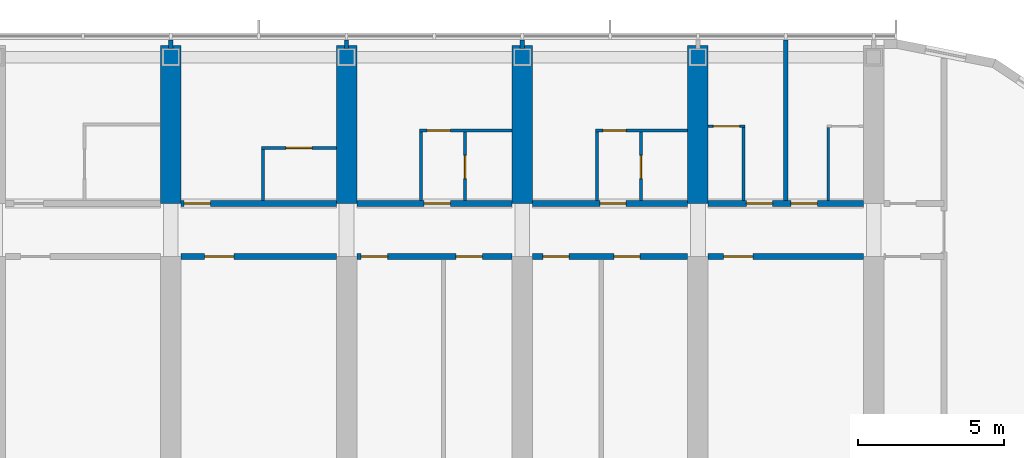
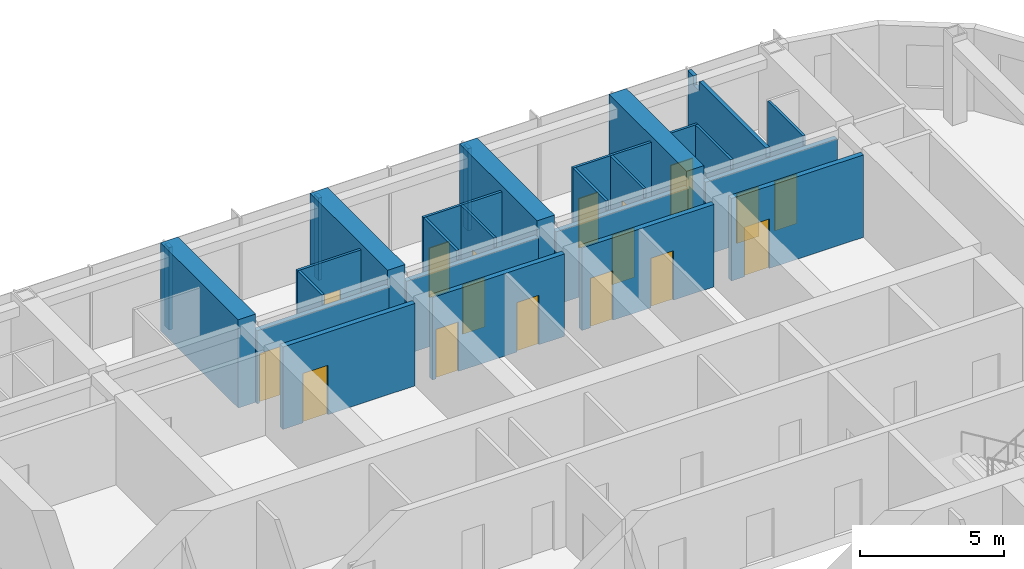
# One storey, part 19 of 27: 27 walls, 17 doors, 17 openings.
"""IFC4 building model written with IfcOpenShell, lengths in metres."""

from ifc_helpers import new_model, si_unit, direction, frame, frame_2d, origin, place, context, subcontext, project, spatial, polyline, rectangle, outline, extrude, material, layer, layer_set, type_object, element, fill, save


model = new_model("IFC4")

# Units and contexts
model_context = context("Model", 3, precision=1e-05, world=origin(), true_north=direction((0.0, 1.0)))
body_context = subcontext(model_context, "Body", "Model", "MODEL_VIEW")
ifc_project = project(units=[si_unit("LENGTHUNIT", "METRE"), si_unit("AREAUNIT", "SQUARE_METRE"), si_unit("VOLUMEUNIT", "CUBIC_METRE"), si_unit("PLANEANGLEUNIT", "RADIAN"), si_unit("MASSUNIT", "GRAM", prefix="KILO")], contexts=[model_context])

# Site, building, storey
site_placement = place(None, origin())
site = spatial("IfcSite", under=ifc_project, at=site_placement, CompositionType="ELEMENT")
building_placement = place(site_placement, origin())
building = spatial("IfcBuilding", under=site, at=building_placement, Name="Orbita Commons", CompositionType="ELEMENT")
storey_placement = place(building_placement, frame((0.0, 0.0, 246.550048828125)))
storey = spatial("IfcBuildingStorey", under=building, at=storey_placement, Name="L61", CompositionType="ELEMENT", Elevation=246.550048828125)

# Wall, opening, door
ifc_material_1 = material(Name="Concrete blockwork", Category="masonry")
ifc_layer_1 = layer(ifc_material_1, 0.199951171875)
ifc_layer_set_1 = layer_set([ifc_layer_1], Name="Concrete blockwork")
wall_type_1 = type_object("IfcWallType", Name="Corridor wall 200 blockwork", PredefinedType="SOLIDWALL", material=ifc_layer_set_1)
wall_1_placement = place(storey_placement, frame((42.35009765625, 47.39990234375, 0.0), z_axis=(0.0, 0.0, 1.0), x_axis=(1.0, 0.0, 0.0)))
wall_1 = element("IfcWall", 1, at=wall_1_placement, inside=storey, type_object=wall_type_1, Name="Corridor wall 200 blockwork L61", PredefinedType="SOLIDWALL", context=body_context, shape_type="SweptSolid", body=[
    extrude(outline(polyline([(0.0, 0.0), (5.2998046875, 0.0), (5.300048828125, 3.099853515625), (0.0, 3.099853515625), (0.0, 0.0)])), frame((0.0, 0.10009765625, 0.0), z_axis=(0.0, -1.0, 0.0), x_axis=(1.0, 0.0, 0.0)), (0.0, 0.0, 1.0), 0.199951171875),
])
opening_1_placement = place(wall_1_placement, frame((0.10009765625, 0.0, 0.0)))
opening_1 = element("IfcOpeningElement", 2, at=opening_1_placement, cuts=wall_1, Name="Opening D11", PredefinedType="OPENING", context=body_context, shape_type="SweptSolid", body=[
    extrude(rectangle(XDim=0.89990234375, YDim=2.10009765625, at=frame_2d((0.449951171875, 1.050048828125))), frame((0.0, 0.10986328125, 0.0), z_axis=(0.0, -1.0, 0.0), x_axis=(1.0, 0.0, 0.0)), (0.0, 0.0, 1.0), 0.219970703125),
])
ifc_material_2 = material(Name="Steel-faced fire door leaf", Category="steel")
door_type_1 = type_object("IfcDoorType", Name="Corridor door 20 min 900x2100", OperationType="SINGLE_SWING_LEFT", PredefinedType="DOOR", material=ifc_material_2)
door_1_placement = place(opening_1_placement, origin())
door_1 = element("IfcDoor", 3, at=door_1_placement, inside=storey, type_object=door_type_1, Name="Studio apartment with kitchenette L61-N08 door", OperationType="SINGLE_SWING_LEFT", OverallHeight=2.10009765625, OverallWidth=0.89990234375, PredefinedType="DOOR", context=body_context, shape_type="SweptSolid", body=[
    extrude(rectangle(XDim=0.89990234375, YDim=2.10009765625, at=frame_2d((0.449951171875, 1.050048828125))), frame((0.0, 0.02490234375, 0.0), z_axis=(0.0, -1.0, 0.0), x_axis=(1.0, 0.0, 0.0)), (0.0, 0.0, 1.0), 0.050048828125),
])
fill(opening_1, door_1)

wall_2_placement = place(storey_placement, frame((48.35009765625, 47.39990234375, 0.0), z_axis=(0.0, 0.0, 1.0), x_axis=(1.0, 0.0, 0.0)))
wall_2 = element("IfcWall", 4, at=wall_2_placement, inside=storey, type_object=wall_type_1, Name="Corridor wall 200 blockwork L61", PredefinedType="SOLIDWALL", context=body_context, shape_type="SweptSolid", body=[
    extrude(outline(polyline([(0.0, 0.0), (5.2998046875, 0.0), (5.300048828125, 3.099853515625), (0.0, 3.099853515625), (0.0, 0.0)])), frame((0.0, 0.10009765625, 0.0), z_axis=(0.0, -1.0, 0.0), x_axis=(1.0, 0.0, 0.0)), (0.0, 0.0, 1.0), 0.199951171875),
])
opening_2_placement = place(wall_2_placement, frame((2.300048828125, 0.0, 0.0)))
opening_2 = element("IfcOpeningElement", 5, at=opening_2_placement, cuts=wall_2, Name="Opening D11", PredefinedType="OPENING", context=body_context, shape_type="SweptSolid", body=[
    extrude(rectangle(XDim=0.89990234375, YDim=2.10009765625, at=frame_2d((0.449951171875, 1.050048828125))), frame((0.0, 0.10986328125, 0.0), z_axis=(0.0, -1.0, 0.0), x_axis=(1.0, 0.0, 0.0)), (0.0, 0.0, 1.0), 0.219970703125),
])
door_2_placement = place(opening_2_placement, origin())
door_2 = element("IfcDoor", 6, at=door_2_placement, inside=storey, type_object=door_type_1, Name="Studio flat L61-N10 entrance door", OperationType="SINGLE_SWING_LEFT", OverallHeight=2.10009765625, OverallWidth=0.89990234375, PredefinedType="DOOR", context=body_context, shape_type="SweptSolid", body=[
    extrude(rectangle(XDim=0.89990234375, YDim=2.10009765625, at=frame_2d((0.449951171875, 1.050048828125))), frame((0.0, 0.02490234375, 0.0), z_axis=(0.0, -1.0, 0.0), x_axis=(1.0, 0.0, 0.0)), (0.0, 0.0, 1.0), 0.050048828125),
])
fill(opening_2, door_2)

wall_3_placement = place(storey_placement, frame((54.35009765625, 47.39990234375, 0.0), z_axis=(0.0, 0.0, 1.0), x_axis=(1.0, 0.0, 0.0)))
wall_3 = element("IfcWall", 7, at=wall_3_placement, inside=storey, type_object=wall_type_1, Name="Corridor wall 200 blockwork L61", PredefinedType="SOLIDWALL", context=body_context, shape_type="SweptSolid", body=[
    extrude(outline(polyline([(0.0, 0.0), (5.2998046875, 0.0), (5.300048828125, 3.099853515625), (0.0, 3.099853515625), (0.0, 0.0)])), frame((0.0, 0.10009765625, 0.0), z_axis=(0.0, -1.0, 0.0), x_axis=(1.0, 0.0, 0.0)), (0.0, 0.0, 1.0), 0.199951171875),
])
opening_3_placement = place(wall_3_placement, frame((2.300048828125, 0.0, 0.0)))
opening_3 = element("IfcOpeningElement", 8, at=opening_3_placement, cuts=wall_3, Name="Opening D11", PredefinedType="OPENING", context=body_context, shape_type="SweptSolid", body=[
    extrude(rectangle(XDim=0.89990234375, YDim=2.10009765625, at=frame_2d((0.449951171875, 1.050048828125))), frame((0.0, 0.10986328125, 0.0), z_axis=(0.0, -1.0, 0.0), x_axis=(1.0, 0.0, 0.0)), (0.0, 0.0, 1.0), 0.219970703125),
])
door_3_placement = place(opening_3_placement, origin())
door_3 = element("IfcDoor", 9, at=door_3_placement, inside=storey, type_object=door_type_1, Name="Studio flat L61-N12 entrance door", OperationType="SINGLE_SWING_LEFT", OverallHeight=2.10009765625, OverallWidth=0.89990234375, PredefinedType="DOOR", context=body_context, shape_type="SweptSolid", body=[
    extrude(rectangle(XDim=0.89990234375, YDim=2.10009765625, at=frame_2d((0.449951171875, 1.050048828125))), frame((0.0, 0.02490234375, 0.0), z_axis=(0.0, -1.0, 0.0), x_axis=(1.0, 0.0, 0.0)), (0.0, 0.0, 1.0), 0.050048828125),
])
fill(opening_3, door_3)

# Wall, openings, doors
wall_4_placement = place(storey_placement, frame((60.35009765625, 47.39990234375, 0.0), z_axis=(0.0, 0.0, 1.0), x_axis=(1.0, 0.0, 0.0)))
wall_4 = element("IfcWall", 10, at=wall_4_placement, inside=storey, type_object=wall_type_1, Name="Corridor wall 200 blockwork L61", PredefinedType="SOLIDWALL", context=body_context, shape_type="SweptSolid", body=[
    extrude(outline(polyline([(0.0, 0.0), (5.2998046875, 0.0), (5.300048828125, 3.099853515625), (0.0, 3.099853515625), (0.0, 0.0)])), frame((0.0, 0.10009765625, 0.0), z_axis=(0.0, -1.0, 0.0), x_axis=(1.0, 0.0, 0.0)), (0.0, 0.0, 1.0), 0.199951171875),
])
opening_4_placement = place(wall_4_placement, frame((1.300048828125, 0.0, 0.0)))
opening_4 = element("IfcOpeningElement", 11, at=opening_4_placement, cuts=wall_4, Name="Opening D11", PredefinedType="OPENING", context=body_context, shape_type="SweptSolid", body=[
    extrude(rectangle(XDim=0.89990234375, YDim=2.10009765625, at=frame_2d((0.449951171875, 1.050048828125))), frame((0.0, 0.10986328125, 0.0), z_axis=(0.0, -1.0, 0.0), x_axis=(1.0, 0.0, 0.0)), (0.0, 0.0, 1.0), 0.219970703125),
])
opening_5_placement = place(wall_4_placement, frame((2.824951171875, 0.0, 0.0)))
opening_5 = element("IfcOpeningElement", 12, at=opening_5_placement, cuts=wall_4, Name="Opening D11", PredefinedType="OPENING", context=body_context, shape_type="SweptSolid", body=[
    extrude(rectangle(XDim=0.89990234375, YDim=2.10009765625, at=frame_2d((0.449951171875, 1.050048828125))), frame((0.0, 0.10986328125, 0.0), z_axis=(0.0, -1.0, 0.0), x_axis=(1.0, 0.0, 0.0)), (0.0, 0.0, 1.0), 0.219970703125),
])
door_4_placement = place(opening_4_placement, origin())
door_4 = element("IfcDoor", 13, at=door_4_placement, inside=storey, type_object=door_type_1, Name="Cluster bedroom L61-N14 door", OperationType="SINGLE_SWING_LEFT", OverallHeight=2.10009765625, OverallWidth=0.89990234375, PredefinedType="DOOR", context=body_context, shape_type="SweptSolid", body=[
    extrude(rectangle(XDim=0.89990234375, YDim=2.10009765625, at=frame_2d((0.449951171875, 1.050048828125))), frame((0.0, 0.02490234375, 0.0), z_axis=(0.0, -1.0, 0.0), x_axis=(1.0, 0.0, 0.0)), (0.0, 0.0, 1.0), 0.050048828125),
])
fill(opening_4, door_4)
door_5_placement = place(opening_5_placement, origin())
door_5 = element("IfcDoor", 14, at=door_5_placement, inside=storey, type_object=door_type_1, Name="Cluster bedroom L61-N15 door", OperationType="SINGLE_SWING_LEFT", OverallHeight=2.10009765625, OverallWidth=0.89990234375, PredefinedType="DOOR", context=body_context, shape_type="SweptSolid", body=[
    extrude(rectangle(XDim=0.89990234375, YDim=2.10009765625, at=frame_2d((0.449951171875, 1.050048828125))), frame((0.0, 0.02490234375, 0.0), z_axis=(0.0, -1.0, 0.0), x_axis=(1.0, 0.0, 0.0)), (0.0, 0.0, 1.0), 0.050048828125),
])
fill(opening_5, door_5)

# Wall, opening, door
ifc_material_3 = material(Name="Hollow concrete block 200", Category="concrete")
ifc_layer_2 = layer(ifc_material_3, 0.199951171875)
ifc_layer_set_2 = layer_set([ifc_layer_2], Name="Hollow concrete block 200")
wall_type_2 = type_object("IfcWallType", Name="Corridor wall 200 hollow concrete block", PredefinedType="SOLIDWALL", material=ifc_layer_set_2)
wall_5_placement = place(storey_placement, frame((42.35009765625, 45.60009765625, 0.0), z_axis=(0.0, 0.0, 1.0), x_axis=(1.0, 0.0, 0.0)))
wall_5 = element("IfcWall", 15, at=wall_5_placement, inside=storey, type_object=wall_type_2, Name="Corridor wall 200 hollow concrete block L61", PredefinedType="SOLIDWALL", context=body_context, shape_type="SweptSolid", body=[
    extrude(rectangle(XDim=5.2998046875, YDim=0.199951171875, at=frame_2d((2.64990234375, 0.0))), origin(), (0.0, 0.0, 1.0), 3.5),
])
opening_6_placement = place(wall_5_placement, frame((0.800048828125, 0.0, 0.0)))
opening_6 = element("IfcOpeningElement", 16, at=opening_6_placement, cuts=wall_5, Name="Opening D06", PredefinedType="OPENING", context=body_context, shape_type="SweptSolid", body=[
    extrude(rectangle(XDim=1.0, YDim=2.10009765625, at=frame_2d((0.5, 1.050048828125))), frame((0.0, 0.10986328125, 0.0), z_axis=(0.0, -1.0, 0.0), x_axis=(1.0, 0.0, 0.0)), (0.0, 0.0, 1.0), 0.219970703125),
])
ifc_material_4 = material(Name="Steel-faced fire door leaf", Category="steel")
door_type_2 = type_object("IfcDoorType", Name="Corridor door 20 min 1000x2100", OperationType="SINGLE_SWING_LEFT", PredefinedType="DOOR", material=ifc_material_4)
door_6_placement = place(opening_6_placement, origin())
door_6 = element("IfcDoor", 17, at=door_6_placement, inside=storey, type_object=door_type_2, Name="IT and print room L61-BDN42 door", OperationType="SINGLE_SWING_LEFT", OverallHeight=2.10009765625, OverallWidth=1.0, PredefinedType="DOOR", context=body_context, shape_type="SweptSolid", body=[
    extrude(rectangle(XDim=1.0, YDim=2.10009765625, at=frame_2d((0.5, 1.050048828125))), frame((0.0, 0.02490234375, 0.0), z_axis=(0.0, -1.0, 0.0), x_axis=(1.0, 0.0, 0.0)), (0.0, 0.0, 1.0), 0.050048828125),
])
fill(opening_6, door_6)

# Wall, openings, doors
wall_6_placement = place(storey_placement, frame((48.35009765625, 45.60009765625, 0.0), z_axis=(0.0, 0.0, 1.0), x_axis=(1.0, 0.0, 0.0)))
wall_6 = element("IfcWall", 18, at=wall_6_placement, inside=storey, type_object=wall_type_2, Name="Corridor wall 200 hollow concrete block L61", PredefinedType="SOLIDWALL", context=body_context, shape_type="SweptSolid", body=[
    extrude(rectangle(XDim=5.2998046875, YDim=0.199951171875, at=frame_2d((2.64990234375, 0.0))), origin(), (0.0, 0.0, 1.0), 3.5),
])
opening_7_placement = place(wall_6_placement, frame((0.14990234375, 0.0, 0.0)))
opening_7 = element("IfcOpeningElement", 19, at=opening_7_placement, cuts=wall_6, Name="Opening D11", PredefinedType="OPENING", context=body_context, shape_type="SweptSolid", body=[
    extrude(rectangle(XDim=0.89990234375, YDim=2.10009765625, at=frame_2d((0.449951171875, 1.050048828125))), frame((0.0, 0.10986328125, 0.0), z_axis=(0.0, -1.0, 0.0), x_axis=(1.0, 0.0, 0.0)), (0.0, 0.0, 1.0), 0.219970703125),
])
opening_8_placement = place(wall_6_placement, frame((3.385009765625, 0.0, 0.0)))
opening_8 = element("IfcOpeningElement", 20, at=opening_8_placement, cuts=wall_6, Name="Opening D11", PredefinedType="OPENING", context=body_context, shape_type="SweptSolid", body=[
    extrude(rectangle(XDim=0.89990234375, YDim=2.10009765625, at=frame_2d((0.449951171875, 1.050048828125))), frame((0.0, 0.10986328125, 0.0), z_axis=(0.0, -1.0, 0.0), x_axis=(1.0, 0.0, 0.0)), (0.0, 0.0, 1.0), 0.219970703125),
])
door_7_placement = place(opening_7_placement, origin())
door_7 = element("IfcDoor", 21, at=door_7_placement, inside=storey, type_object=door_type_1, Name="Furniture store L61-BDN48 door", OperationType="SINGLE_SWING_LEFT", OverallHeight=2.10009765625, OverallWidth=0.89990234375, PredefinedType="DOOR", context=body_context, shape_type="SweptSolid", body=[
    extrude(rectangle(XDim=0.89990234375, YDim=2.10009765625, at=frame_2d((0.449951171875, 1.050048828125))), frame((0.0, 0.02490234375, 0.0), z_axis=(0.0, -1.0, 0.0), x_axis=(1.0, 0.0, 0.0)), (0.0, 0.0, 1.0), 0.050048828125),
])
fill(opening_7, door_7)
door_8_placement = place(opening_8_placement, origin())
door_8 = element("IfcDoor", 22, at=door_8_placement, inside=storey, type_object=door_type_1, Name="Water heater cupboard L61-BDN48n door", OperationType="SINGLE_SWING_LEFT", OverallHeight=2.10009765625, OverallWidth=0.89990234375, PredefinedType="DOOR", context=body_context, shape_type="SweptSolid", body=[
    extrude(rectangle(XDim=0.89990234375, YDim=2.10009765625, at=frame_2d((0.449951171875, 1.050048828125))), frame((0.0, 0.02490234375, 0.0), z_axis=(0.0, -1.0, 0.0), x_axis=(1.0, 0.0, 0.0)), (0.0, 0.0, 1.0), 0.050048828125),
])
fill(opening_8, door_8)

wall_7_placement = place(storey_placement, frame((54.35009765625, 45.60009765625, 0.0), z_axis=(0.0, 0.0, 1.0), x_axis=(1.0, 0.0, 0.0)))
wall_7 = element("IfcWall", 23, at=wall_7_placement, inside=storey, type_object=wall_type_2, Name="Corridor wall 200 hollow concrete block L61", PredefinedType="SOLIDWALL", context=body_context, shape_type="SweptSolid", body=[
    extrude(rectangle(XDim=5.2998046875, YDim=0.199951171875, at=frame_2d((2.64990234375, 0.0))), origin(), (0.0, 0.0, 1.0), 3.5),
])
opening_9_placement = place(wall_7_placement, frame((0.35009765625, 0.0, 0.0)))
opening_9 = element("IfcOpeningElement", 24, at=opening_9_placement, cuts=wall_7, Name="Opening D11", PredefinedType="OPENING", context=body_context, shape_type="SweptSolid", body=[
    extrude(rectangle(XDim=0.89990234375, YDim=2.10009765625, at=frame_2d((0.449951171875, 1.050048828125))), frame((0.0, 0.10986328125, 0.0), z_axis=(0.0, -1.0, 0.0), x_axis=(1.0, 0.0, 0.0)), (0.0, 0.0, 1.0), 0.219970703125),
])
opening_10_placement = place(wall_7_placement, frame((2.77490234375, 0.0, 0.0)))
opening_10 = element("IfcOpeningElement", 25, at=opening_10_placement, cuts=wall_7, Name="Opening D11", PredefinedType="OPENING", context=body_context, shape_type="SweptSolid", body=[
    extrude(rectangle(XDim=0.89990234375, YDim=2.10009765625, at=frame_2d((0.449951171875, 1.050048828125))), frame((0.0, 0.10986328125, 0.0), z_axis=(0.0, -1.0, 0.0), x_axis=(1.0, 0.0, 0.0)), (0.0, 0.0, 1.0), 0.219970703125),
])
door_9_placement = place(opening_9_placement, origin())
door_9 = element("IfcDoor", 26, at=door_9_placement, inside=storey, type_object=door_type_1, Name="Battery and UPS room L61-BDN54n door", OperationType="SINGLE_SWING_LEFT", OverallHeight=2.10009765625, OverallWidth=0.89990234375, PredefinedType="DOOR", context=body_context, shape_type="SweptSolid", body=[
    extrude(rectangle(XDim=0.89990234375, YDim=2.10009765625, at=frame_2d((0.449951171875, 1.050048828125))), frame((0.0, 0.02490234375, 0.0), z_axis=(0.0, -1.0, 0.0), x_axis=(1.0, 0.0, 0.0)), (0.0, 0.0, 1.0), 0.050048828125),
])
fill(opening_9, door_9)
door_10_placement = place(opening_10_placement, origin())
door_10 = element("IfcDoor", 27, at=door_10_placement, inside=storey, type_object=door_type_1, Name="Bulk and luggage store L61-BDN54 door", OperationType="SINGLE_SWING_LEFT", OverallHeight=2.10009765625, OverallWidth=0.89990234375, PredefinedType="DOOR", context=body_context, shape_type="SweptSolid", body=[
    extrude(rectangle(XDim=0.89990234375, YDim=2.10009765625, at=frame_2d((0.449951171875, 1.050048828125))), frame((0.0, 0.02490234375, 0.0), z_axis=(0.0, -1.0, 0.0), x_axis=(1.0, 0.0, 0.0)), (0.0, 0.0, 1.0), 0.050048828125),
])
fill(opening_10, door_10)

# Wall, opening, door
wall_8_placement = place(storey_placement, frame((60.35009765625, 45.60009765625, 0.0), z_axis=(0.0, 0.0, 1.0), x_axis=(1.0, 0.0, 0.0)))
wall_8 = element("IfcWall", 28, at=wall_8_placement, inside=storey, type_object=wall_type_2, Name="Corridor wall 200 hollow concrete block L61", PredefinedType="SOLIDWALL", context=body_context, shape_type="SweptSolid", body=[
    extrude(rectangle(XDim=5.2998046875, YDim=0.199951171875, at=frame_2d((2.64990234375, 0.0))), origin(), (0.0, 0.0, 1.0), 3.5),
])
opening_11_placement = place(wall_8_placement, frame((0.52490234375, 0.0, 0.0)))
opening_11 = element("IfcOpeningElement", 29, at=opening_11_placement, cuts=wall_8, Name="Opening D06", PredefinedType="OPENING", context=body_context, shape_type="SweptSolid", body=[
    extrude(rectangle(XDim=1.0, YDim=2.10009765625, at=frame_2d((0.5, 1.050048828125))), frame((0.0, 0.10986328125, 0.0), z_axis=(0.0, -1.0, 0.0), x_axis=(1.0, 0.0, 0.0)), (0.0, 0.0, 1.0), 0.219970703125),
])
door_11_placement = place(opening_11_placement, origin())
door_11 = element("IfcDoor", 30, at=door_11_placement, inside=storey, type_object=door_type_2, Name="Store L61-BDN60 door", OperationType="SINGLE_SWING_LEFT", OverallHeight=2.10009765625, OverallWidth=1.0, PredefinedType="DOOR", context=body_context, shape_type="SweptSolid", body=[
    extrude(rectangle(XDim=1.0, YDim=2.10009765625, at=frame_2d((0.5, 1.050048828125))), frame((0.0, 0.02490234375, 0.0), z_axis=(0.0, -1.0, 0.0), x_axis=(1.0, 0.0, 0.0)), (0.0, 0.0, 1.0), 0.050048828125),
])
fill(opening_11, door_11)

# Walls
ifc_material_5 = material(Name="Concrete C50/60", Category="concrete")
ifc_layer_3 = layer(ifc_material_5, 0.699951171875)
ifc_layer_set_3 = layer_set([ifc_layer_3], Name="Concrete C50/60")
wall_type_3 = type_object("IfcWallType", Name="Cross wall 700 C50/60", PredefinedType="SHEAR", material=ifc_layer_set_3)
for number, where, z_axis, x_axis, name in (
    (31, (42.0, 47.39990234375, 0.0), (0.0, 0.0, 1.0), (0.0, 1.0, 0.0), "Cross wall 8 north outer L61"),
    (32, (48.0, 47.39990234375, 0.0), (0.0, 0.0, 1.0), (0.0, 1.0, 0.0), "Cross wall 9 north outer L61"),
    (33, (54.0, 47.39990234375, 0.0), (0.0, 0.0, 1.0), (0.0, 1.0, 0.0), "Cross wall 10 north outer L61"),
    (34, (60.0, 47.39990234375, 0.0), (0.0, 0.0, 1.0), (0.0, 1.0, 0.0), "Cross wall 11 north outer L61"),
):
    element("IfcWall", number, at=place(storey_placement, frame(where, z_axis=z_axis, x_axis=x_axis)), inside=storey, type_object=wall_type_3, Name=name, PredefinedType="SHEAR", context=body_context, shape_type="SweptSolid", body=[
        extrude(rectangle(XDim=5.400146484375, YDim=0.699951171875, at=frame_2d((2.7001953125, 0.0))), origin(), (0.0, 0.0, 1.0), 3.75),
    ])

# Wall, opening, door
ifc_material_6 = material(Name="Moisture-resistant plasterboard on steel studs", Category="steel")
ifc_layer_4 = layer(ifc_material_6, 0.10009765625)
ifc_layer_set_4 = layer_set([ifc_layer_4], Name="Moisture-resistant plasterboard on steel studs")
wall_type_4 = type_object("IfcWallType", Name="En-suite partition 100", PredefinedType="PARTITIONING", material=ifc_layer_set_4)
wall_9_placement = place(storey_placement, frame((45.10009765625, 49.300048828125, 0.0), z_axis=(0.0, 0.0, 1.0), x_axis=(1.0, 0.0, 0.0)))
wall_9 = element("IfcWall", 35, at=wall_9_placement, inside=storey, type_object=wall_type_4, Name="En-suite partition 100 L61", PredefinedType="PARTITIONING", context=body_context, shape_type="SweptSolid", body=[
    extrude(rectangle(XDim=2.5498046875, YDim=0.10009765625, at=frame_2d((1.27490234375, 0.0))), origin(), (0.0, 0.0, 1.0), 3.5),
])
opening_12_placement = place(wall_9_placement, frame((0.824951171875, 0.0, 0.0)))
opening_12 = element("IfcOpeningElement", 36, at=opening_12_placement, cuts=wall_9, Name="Opening D09", PredefinedType="OPENING", context=body_context, shape_type="SweptSolid", body=[
    extrude(rectangle(XDim=0.89990234375, YDim=2.10009765625, at=frame_2d((0.449951171875, 1.050048828125))), frame((0.0, 0.06005859375, 0.0), z_axis=(0.0, -1.0, 0.0), x_axis=(1.0, 0.0, 0.0)), (0.0, 0.0, 1.0), 0.1201171875),
])
ifc_material_7 = material(Name="Laminated timber door leaf", Category="wood")
door_type_3 = type_object("IfcDoorType", Name="En-suite door 900x2100", OperationType="SINGLE_SWING_RIGHT", PredefinedType="DOOR", material=ifc_material_7)
door_12_placement = place(opening_12_placement, origin())
door_12 = element("IfcDoor", 37, at=door_12_placement, inside=storey, type_object=door_type_3, Name="En-suite L61-N08 door", OperationType="SINGLE_SWING_RIGHT", OverallHeight=2.10009765625, OverallWidth=0.89990234375, PredefinedType="DOOR", context=body_context, shape_type="SweptSolid", body=[
    extrude(rectangle(XDim=0.89990234375, YDim=2.10009765625, at=frame_2d((0.449951171875, 1.050048828125))), frame((0.0, 0.02490234375, 0.0), z_axis=(0.0, -1.0, 0.0), x_axis=(1.0, 0.0, 0.0)), (0.0, 0.0, 1.0), 0.050048828125),
])
fill(opening_12, door_12)

# Wall
wall_10_placement = place(storey_placement, frame((45.14990234375, 49.25, 0.0), z_axis=(0.0, 0.0, 1.0), x_axis=(0.0, -1.0, 0.0)))
element("IfcWall", 38, at=wall_10_placement, inside=storey, type_object=wall_type_4, Name="En-suite partition 100 L61", PredefinedType="PARTITIONING", context=body_context, shape_type="SweptSolid", body=[
    extrude(outline(polyline([(0.0, 0.0), (1.75, 0.0), (1.75, 3.099853515625), (1.701904296875, 3.099853515625), (1.699951171875, 3.5), (0.0, 3.5), (0.0, 0.0)])), frame((0.0, 0.050048828125, 0.0), z_axis=(0.0, -1.0, 0.0), x_axis=(1.0, 0.0, 0.0)), (0.0, 0.0, 1.0), 0.10009765625),
])

# Wall, opening, door
wall_11_placement = place(storey_placement, frame((50.5, 49.89990234375, 0.0), z_axis=(0.0, 0.0, 1.0), x_axis=(1.0, 0.0, 0.0)))
wall_11 = element("IfcWall", 39, at=wall_11_placement, inside=storey, type_object=wall_type_4, Name="En-suite partition 100 L61", PredefinedType="PARTITIONING", context=body_context, shape_type="SweptSolid", body=[
    extrude(rectangle(XDim=3.14990234375, YDim=0.10009765625, at=frame_2d((1.574951171875, 0.0))), origin(), (0.0, 0.0, 1.0), 3.5),
])
opening_13_placement = place(wall_11_placement, frame((0.25, 0.0, 0.0)))
opening_13 = element("IfcOpeningElement", 40, at=opening_13_placement, cuts=wall_11, Name="Opening D16", PredefinedType="OPENING", context=body_context, shape_type="SweptSolid", body=[
    extrude(rectangle(XDim=0.800048828125, YDim=2.10009765625, at=frame_2d((0.39990234375, 1.050048828125))), frame((0.0, 0.06005859375, 0.0), z_axis=(0.0, -1.0, 0.0), x_axis=(1.0, 0.0, 0.0)), (0.0, 0.0, 1.0), 0.1201171875),
])
ifc_material_8 = material(Name="Laminated timber door leaf", Category="wood")
door_type_4 = type_object("IfcDoorType", Name="En-suite door 800x2100", OperationType="SINGLE_SWING_RIGHT", PredefinedType="DOOR", material=ifc_material_8)
door_13_placement = place(opening_13_placement, origin())
door_13 = element("IfcDoor", 41, at=door_13_placement, inside=storey, type_object=door_type_4, Name="Studio flat L61-N10 door", OperationType="SINGLE_SWING_RIGHT", OverallHeight=2.10009765625, OverallWidth=0.800048828125, PredefinedType="DOOR", context=body_context, shape_type="SweptSolid", body=[
    extrude(rectangle(XDim=0.800048828125, YDim=2.10009765625, at=frame_2d((0.39990234375, 1.050048828125))), frame((0.0, 0.02490234375, 0.0), z_axis=(0.0, -1.0, 0.0), x_axis=(1.0, 0.0, 0.0)), (0.0, 0.0, 1.0), 0.050048828125),
])
fill(opening_13, door_13)

# Wall
wall_12_placement = place(storey_placement, frame((50.550048828125, 49.85009765625, 0.0), z_axis=(0.0, 0.0, 1.0), x_axis=(0.0, -1.0, 0.0)))
element("IfcWall", 42, at=wall_12_placement, inside=storey, type_object=wall_type_4, Name="En-suite partition 100 L61", PredefinedType="PARTITIONING", context=body_context, shape_type="SweptSolid", body=[
    extrude(outline(polyline([(0.0, 0.0), (2.35009765625, 0.0), (2.35009765625, 3.099853515625), (2.302001953125, 3.099853515625), (2.300048828125, 3.5), (0.0, 3.5), (0.0, 0.0)])), frame((0.0, 0.050048828125, 0.0), z_axis=(0.0, -1.0, 0.0), x_axis=(1.0, 0.0, 0.0)), (0.0, 0.0, 1.0), 0.10009765625),
])

# Wall, opening, door
wall_13_placement = place(storey_placement, frame((52.050048828125, 49.85009765625, 0.0), z_axis=(0.0, 0.0, 1.0), x_axis=(0.0, -1.0, 0.0)))
wall_13 = element("IfcWall", 43, at=wall_13_placement, inside=storey, type_object=wall_type_4, Name="En-suite partition 100 L61", PredefinedType="PARTITIONING", context=body_context, shape_type="SweptSolid", body=[
    extrude(outline(polyline([(0.0, 0.0), (2.35009765625, 0.0), (2.35009765625, 3.099853515625), (2.302001953125, 3.099853515625), (2.300048828125, 3.5), (0.0, 3.5), (0.0, 0.0)])), frame((0.0, 0.050048828125, 0.0), z_axis=(0.0, -1.0, 0.0), x_axis=(1.0, 0.0, 0.0)), (0.0, 0.0, 1.0), 0.10009765625),
])
opening_14_placement = place(wall_13_placement, frame((0.800048828125, 0.0, 0.0)))
opening_14 = element("IfcOpeningElement", 44, at=opening_14_placement, cuts=wall_13, Name="Opening D16", PredefinedType="OPENING", context=body_context, shape_type="SweptSolid", body=[
    extrude(rectangle(XDim=0.800048828125, YDim=2.10009765625, at=frame_2d((0.39990234375, 1.050048828125))), frame((0.0, 0.06005859375, 0.0), z_axis=(0.0, -1.0, 0.0), x_axis=(1.0, 0.0, 0.0)), (0.0, 0.0, 1.0), 0.1201171875),
])
door_14_placement = place(opening_14_placement, origin())
door_14 = element("IfcDoor", 45, at=door_14_placement, inside=storey, type_object=door_type_4, Name="Studio flat shower room L61-N10 door", OperationType="SINGLE_SWING_RIGHT", OverallHeight=2.10009765625, OverallWidth=0.800048828125, PredefinedType="DOOR", context=body_context, shape_type="SweptSolid", body=[
    extrude(rectangle(XDim=0.800048828125, YDim=2.10009765625, at=frame_2d((0.39990234375, 1.050048828125))), frame((0.0, 0.02490234375, 0.0), z_axis=(0.0, -1.0, 0.0), x_axis=(1.0, 0.0, 0.0)), (0.0, 0.0, 1.0), 0.050048828125),
])
fill(opening_14, door_14)

wall_14_placement = place(storey_placement, frame((56.5, 49.89990234375, 0.0), z_axis=(0.0, 0.0, 1.0), x_axis=(1.0, 0.0, 0.0)))
wall_14 = element("IfcWall", 46, at=wall_14_placement, inside=storey, type_object=wall_type_4, Name="En-suite partition 100 L61", PredefinedType="PARTITIONING", context=body_context, shape_type="SweptSolid", body=[
    extrude(rectangle(XDim=3.14990234375, YDim=0.10009765625, at=frame_2d((1.574951171875, 0.0))), origin(), (0.0, 0.0, 1.0), 3.5),
])
opening_15_placement = place(wall_14_placement, frame((0.25, 0.0, 0.0)))
opening_15 = element("IfcOpeningElement", 47, at=opening_15_placement, cuts=wall_14, Name="Opening D16", PredefinedType="OPENING", context=body_context, shape_type="SweptSolid", body=[
    extrude(rectangle(XDim=0.800048828125, YDim=2.10009765625, at=frame_2d((0.39990234375, 1.050048828125))), frame((0.0, 0.06005859375, 0.0), z_axis=(0.0, -1.0, 0.0), x_axis=(1.0, 0.0, 0.0)), (0.0, 0.0, 1.0), 0.1201171875),
])
door_15_placement = place(opening_15_placement, origin())
door_15 = element("IfcDoor", 48, at=door_15_placement, inside=storey, type_object=door_type_4, Name="Studio flat L61-N12 door", OperationType="SINGLE_SWING_RIGHT", OverallHeight=2.10009765625, OverallWidth=0.800048828125, PredefinedType="DOOR", context=body_context, shape_type="SweptSolid", body=[
    extrude(rectangle(XDim=0.800048828125, YDim=2.10009765625, at=frame_2d((0.39990234375, 1.050048828125))), frame((0.0, 0.02490234375, 0.0), z_axis=(0.0, -1.0, 0.0), x_axis=(1.0, 0.0, 0.0)), (0.0, 0.0, 1.0), 0.050048828125),
])
fill(opening_15, door_15)

# Wall
wall_15_placement = place(storey_placement, frame((56.550048828125, 49.85009765625, 0.0), z_axis=(0.0, 0.0, 1.0), x_axis=(0.0, -1.0, 0.0)))
element("IfcWall", 49, at=wall_15_placement, inside=storey, type_object=wall_type_4, Name="En-suite partition 100 L61", PredefinedType="PARTITIONING", context=body_context, shape_type="SweptSolid", body=[
    extrude(outline(polyline([(0.0, 0.0), (2.35009765625, 0.0), (2.35009765625, 3.099853515625), (2.302001953125, 3.099853515625), (2.300048828125, 3.5), (0.0, 3.5), (0.0, 0.0)])), frame((0.0, 0.050048828125, 0.0), z_axis=(0.0, -1.0, 0.0), x_axis=(1.0, 0.0, 0.0)), (0.0, 0.0, 1.0), 0.10009765625),
])

# Wall, opening, door
wall_16_placement = place(storey_placement, frame((58.050048828125, 49.85009765625, 0.0), z_axis=(0.0, 0.0, 1.0), x_axis=(0.0, -1.0, 0.0)))
wall_16 = element("IfcWall", 50, at=wall_16_placement, inside=storey, type_object=wall_type_4, Name="En-suite partition 100 L61", PredefinedType="PARTITIONING", context=body_context, shape_type="SweptSolid", body=[
    extrude(outline(polyline([(0.0, 0.0), (2.35009765625, 0.0), (2.35009765625, 3.099853515625), (2.302001953125, 3.099853515625), (2.300048828125, 3.5), (0.0, 3.5), (0.0, 0.0)])), frame((0.0, 0.050048828125, 0.0), z_axis=(0.0, -1.0, 0.0), x_axis=(1.0, 0.0, 0.0)), (0.0, 0.0, 1.0), 0.10009765625),
])
opening_16_placement = place(wall_16_placement, frame((0.800048828125, 0.0, 0.0)))
opening_16 = element("IfcOpeningElement", 51, at=opening_16_placement, cuts=wall_16, Name="Opening D16", PredefinedType="OPENING", context=body_context, shape_type="SweptSolid", body=[
    extrude(rectangle(XDim=0.800048828125, YDim=2.10009765625, at=frame_2d((0.39990234375, 1.050048828125))), frame((0.0, 0.06005859375, 0.0), z_axis=(0.0, -1.0, 0.0), x_axis=(1.0, 0.0, 0.0)), (0.0, 0.0, 1.0), 0.1201171875),
])
door_16_placement = place(opening_16_placement, origin())
door_16 = element("IfcDoor", 52, at=door_16_placement, inside=storey, type_object=door_type_4, Name="Studio flat shower room L61-N12 door", OperationType="SINGLE_SWING_RIGHT", OverallHeight=2.10009765625, OverallWidth=0.800048828125, PredefinedType="DOOR", context=body_context, shape_type="SweptSolid", body=[
    extrude(rectangle(XDim=0.800048828125, YDim=2.10009765625, at=frame_2d((0.39990234375, 1.050048828125))), frame((0.0, 0.02490234375, 0.0), z_axis=(0.0, -1.0, 0.0), x_axis=(1.0, 0.0, 0.0)), (0.0, 0.0, 1.0), 0.050048828125),
])
fill(opening_16, door_16)

wall_17_placement = place(storey_placement, frame((60.35009765625, 50.041748046875, 0.0), z_axis=(0.0, 0.0, 1.0), x_axis=(1.0, 0.0, 0.0)))
wall_17 = element("IfcWall", 53, at=wall_17_placement, inside=storey, type_object=wall_type_4, Name="En-suite partition 100 L61", PredefinedType="PARTITIONING", context=body_context, shape_type="SweptSolid", body=[
    extrude(rectangle(XDim=1.25, YDim=0.10009765625, at=frame_2d((0.625, 0.0))), origin(), (0.0, 0.0, 1.0), 3.5),
])
opening_17_placement = place(wall_17_placement, frame((0.175048828125, 0.0, 0.0)))
opening_17 = element("IfcOpeningElement", 54, at=opening_17_placement, cuts=wall_17, Name="Opening D09", PredefinedType="OPENING", context=body_context, shape_type="SweptSolid", body=[
    extrude(rectangle(XDim=0.89990234375, YDim=2.10009765625, at=frame_2d((0.449951171875, 1.050048828125))), frame((0.0, 0.06005859375, 0.0), z_axis=(0.0, -1.0, 0.0), x_axis=(1.0, 0.0, 0.0)), (0.0, 0.0, 1.0), 0.1201171875),
])
door_17_placement = place(opening_17_placement, origin())
door_17 = element("IfcDoor", 55, at=door_17_placement, inside=storey, type_object=door_type_3, Name="En-suite L61-N14 door", OperationType="SINGLE_SWING_RIGHT", OverallHeight=2.10009765625, OverallWidth=0.89990234375, PredefinedType="DOOR", context=body_context, shape_type="SweptSolid", body=[
    extrude(rectangle(XDim=0.89990234375, YDim=2.10009765625, at=frame_2d((0.449951171875, 1.050048828125))), frame((0.0, 0.02490234375, 0.0), z_axis=(0.0, -1.0, 0.0), x_axis=(1.0, 0.0, 0.0)), (0.0, 0.0, 1.0), 0.050048828125),
])
fill(opening_17, door_17)

# Walls
for number, where, z_axis, x_axis, name in (
    (56, (61.550048828125, 49.99169921875, 0.0), (0.0, 0.0, 1.0), (0.0, -1.0, 0.0), "En-suite partition 100 L61"),
    (57, (64.449951171875, 49.99169921875, 0.0), (0.0, 0.0, 1.0), (0.0, -1.0, 0.0), "En-suite partition 100 L61"),
):
    element("IfcWall", number, at=place(storey_placement, frame(where, z_axis=z_axis, x_axis=x_axis)), inside=storey, type_object=wall_type_4, Name=name, PredefinedType="PARTITIONING", context=body_context, shape_type="SweptSolid", body=[
        extrude(outline(polyline([(0.0, 0.0), (2.49169921875, 0.0), (2.49169921875, 3.099853515625), (2.443603515625, 3.099853515625), (2.441650390625, 3.5), (0.0, 3.5), (0.0, 0.0)])), frame((0.0, 0.050048828125, 0.0), z_axis=(0.0, -1.0, 0.0), x_axis=(1.0, 0.0, 0.0)), (0.0, 0.0, 1.0), 0.10009765625),
    ])
ifc_material_9 = material(Name="Gypsum plasterboard on steel studs", Category="steel")
ifc_layer_5 = layer(ifc_material_9, 0.14990234375)
ifc_layer_set_5 = layer_set([ifc_layer_5], Name="Gypsum plasterboard on steel studs")
wall_type_5 = type_object("IfcWallType", Name="Partition 150 plasterboard", PredefinedType="PARTITIONING", material=ifc_layer_set_5)
for number, where, z_axis, x_axis, name in (
    (58, (42.0, 52.699951171875, 0.0), (0.0, 0.0, 1.0), (0.0, 1.0, 0.0), "Partition 150 plasterboard L61"),
    (59, (48.0, 52.699951171875, 0.0), (0.0, 0.0, 1.0), (0.0, 1.0, 0.0), "Partition 150 plasterboard L61"),
    (60, (54.0, 52.699951171875, 0.0), (0.0, 0.0, 1.0), (0.0, 1.0, 0.0), "Partition 150 plasterboard L61"),
):
    element("IfcWall", number, at=place(storey_placement, frame(where, z_axis=z_axis, x_axis=x_axis)), inside=storey, type_object=wall_type_5, Name=name, PredefinedType="PARTITIONING", context=body_context, shape_type="SweptSolid", body=[
        extrude(rectangle(XDim=0.2900390625, YDim=0.14990234375, at=frame_2d((0.14501953125, 0.0))), origin(), (0.0, 0.0, 1.0), 3.5),
    ])
ifc_material_10 = material(Name="Gypsum plasterboard on steel studs", Category="steel")
ifc_layer_6 = layer(ifc_material_10, 0.14990234375)
ifc_layer_set_6 = layer_set([ifc_layer_6], Name="Gypsum plasterboard on steel studs")
wall_type_6 = type_object("IfcWallType", Name="Party wall 150 plasterboard", PredefinedType="PARTITIONING", material=ifc_layer_set_6)
wall_18_placement = place(storey_placement, frame((63.0, 52.989990234375, 0.0), z_axis=(0.0, 0.0, 1.0), x_axis=(0.0, -1.0, 0.0)))
element("IfcWall", 61, at=wall_18_placement, inside=storey, type_object=wall_type_6, Name="Party wall 150 plasterboard L61", PredefinedType="PARTITIONING", context=body_context, shape_type="SweptSolid", body=[
    extrude(outline(polyline([(0.0, 0.0), (5.489990234375, 0.0), (5.489990234375, 3.099853515625), (5.44189453125, 3.099853515625), (5.43994140625, 3.5), (0.7919921875, 3.5), (0.7900390625, 3.099853515625), (0.39208984375, 3.099853515625), (0.389892578125, 3.5), (0.0, 3.5), (0.0, 0.0)])), frame((0.0, 0.074951171875, 0.0), z_axis=(0.0, -1.0, 0.0), x_axis=(1.0, 0.0, 0.0)), (0.0, 0.0, 1.0), 0.14990234375),
])

save(model, "model.ifc")
